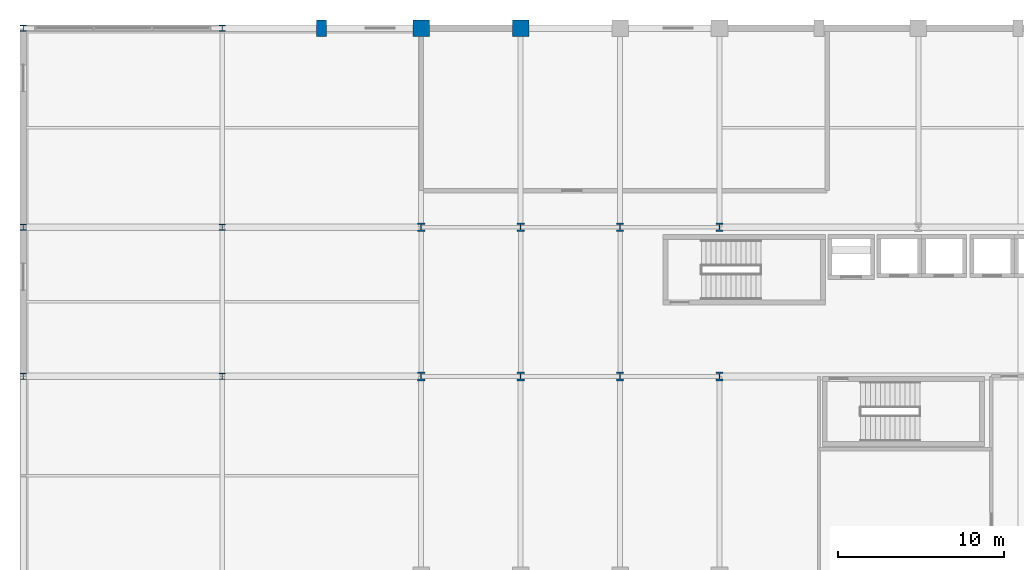
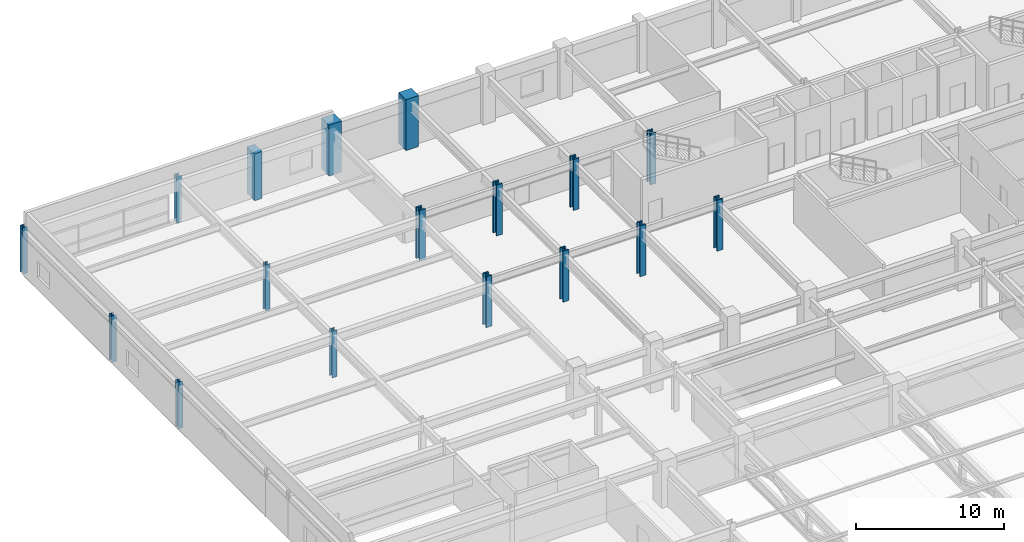
# One storey, part 9 of 108: 17 columns.
"""IFC4 building model written with IfcOpenShell, lengths in metres."""

from ifc_helpers import new_model, si_unit, direction, frame, origin, origin_2d, place, context, subcontext, project, spatial, rectangle, i_section, extrude, material, material_profile, profile_set, type_object, element, save


model = new_model("IFC4")

# Units and contexts
model_context = context("Model", 3, precision=1e-05, world=origin(), true_north=direction((0.0, 1.0)))
body_context = subcontext(model_context, "Body", "Model", "MODEL_VIEW")
ifc_project = project(units=[si_unit("LENGTHUNIT", "METRE"), si_unit("AREAUNIT", "SQUARE_METRE"), si_unit("VOLUMEUNIT", "CUBIC_METRE"), si_unit("PLANEANGLEUNIT", "RADIAN"), si_unit("MASSUNIT", "GRAM", prefix="KILO")], contexts=[model_context])

# Site, building, storey
site_placement = place(None, origin())
site = spatial("IfcSite", under=ifc_project, at=site_placement, CompositionType="ELEMENT")
building_placement = place(site_placement, origin())
building = spatial("IfcBuilding", under=site, at=building_placement, Name="Kaldorvane Square Convention Centre", CompositionType="ELEMENT")
storey_placement = place(building_placement, frame((0.0, 0.0, 23.399993896484375)))
storey = spatial("IfcBuildingStorey", under=building, at=storey_placement, Name="L04", CompositionType="ELEMENT", Elevation=23.399993896484375)

# Columns
ifc_material_1 = material(Name="Concrete f'c = 55 MPa (Normalweight)", Category="concrete")
ifc_material_profile_1 = material_profile(ifc_material_1, rectangle(XDim=1.0, YDim=1.0, at=origin_2d()), Name="RC1000X1000")
ifc_profile_set_1 = profile_set([ifc_material_profile_1], Name="Concrete f'c = 55 MPa (Normalweight)")
column_type_1 = type_object("IfcColumnType", Name="COL-RC-1000", PredefinedType="COLUMN", material=ifc_profile_set_1)
for number, where, z_axis, x_axis, name in (
    (1, (24.0, 117.0, 0.0), (0.0, 0.0, 1.0), (1.0, 0.0, 0.0), "Column CC-02 (L04)"),
    (2, (30.0, 117.0, 0.0), (0.0, 0.0, 1.0), (1.0, 0.0, 0.0), "Column CC-02 (L04)"),
):
    element("IfcColumn", number, at=place(storey_placement, frame(where, z_axis=z_axis, x_axis=x_axis)), inside=storey, type_object=column_type_1, Name=name, PredefinedType="COLUMN", context=body_context, shape_type="SweptSolid", body=[
        extrude(rectangle(XDim=1.0, YDim=1.0, at=origin_2d()), origin(), (0.0, 0.0, 1.0), 4.20001220703125),
    ])
ifc_material_2 = material(Name="Steel ASTM A992 Gr. 50", Category="steel")
ifc_material_profile_2 = material_profile(ifc_material_2, i_section(OverallWidth=0.4420013427734375, OverallDepth=0.531402587890625, WebThickness=0.0657958984375, FlangeThickness=0.1056976318359375, FilletRadius=0.0305023193359375, at=origin_2d()), Name="W14X605")
ifc_profile_set_2 = profile_set([ifc_material_profile_2], Name="Steel ASTM A992 Gr. 50")
column_type_2 = type_object("IfcColumnType", Name="COL-STL-605", PredefinedType="COLUMN", material=ifc_profile_set_2)
for number, where, z_axis, x_axis, name in (
    (3, (24.0, 96.0, 0.0), (0.0, 0.0, 1.0), (1.0, 0.0, 0.0), "Column SC-02 (L04)"),
    (4, (24.0, 105.0, 0.0), (0.0, 0.0, 1.0), (1.0, 0.0, 0.0), "Column SC-02 (L04)"),
    (5, (30.0, 96.0, 0.0), (0.0, 0.0, 1.0), (1.0, 0.0, 0.0), "Column SC-02 (L04)"),
    (6, (30.0, 105.0, 0.0), (0.0, 0.0, 1.0), (1.0, 0.0, 0.0), "Column SC-02 (L04)"),
    (7, (36.0, 96.0, 0.0), (0.0, 0.0, 1.0), (1.0, 0.0, 0.0), "Column SC-02 (L04)"),
    (8, (36.0, 105.0, 0.0), (0.0, 0.0, 1.0), (1.0, 0.0, 0.0), "Column SC-02 (L04)"),
    (9, (42.0, 96.0, 0.0), (0.0, 0.0, 1.0), (1.0, 0.0, 0.0), "Column SC-02 (L04)"),
    (10, (42.0, 105.0, 0.0), (0.0, 0.0, 1.0), (1.0, 0.0, 0.0), "Column SC-02 (L04)"),
):
    element("IfcColumn", number, at=place(storey_placement, frame(where, z_axis=z_axis, x_axis=x_axis)), inside=storey, type_object=column_type_2, Name=name, PredefinedType="COLUMN", context=body_context, shape_type="SweptSolid", body=[
        extrude(i_section(OverallWidth=0.4420013427734375, OverallDepth=0.531402587890625, WebThickness=0.0657958984375, FlangeThickness=0.1056976318359375, FilletRadius=0.0305023193359375, at=origin_2d()), origin(), (0.0, 0.0, 1.0), 4.20001220703125),
    ])
ifc_material_profile_3 = material_profile(ifc_material_2, i_section(OverallWidth=0.3701019287109375, OverallDepth=0.360198974609375, WebThickness=0.012298583984375, FlangeThickness=0.019805908203125, FilletRadius=0.0305023193359375, at=origin_2d()), Name="W14X99")
ifc_profile_set_3 = profile_set([ifc_material_profile_3], Name="Steel ASTM A992 Gr. 50")
column_type_3 = type_object("IfcColumnType", Name="COL-STL-99", PredefinedType="COLUMN", material=ifc_profile_set_3)
for number, where, z_axis, x_axis, name in (
    (11, (0.0, 96.0, 0.0), (0.0, 0.0, 1.0), (1.0, 0.0, 0.0), "Column SC-12 (L04)"),
    (12, (0.0, 105.0, 0.0), (0.0, 0.0, 1.0), (1.0, 0.0, 0.0), "Column SC-12 (L04)"),
    (13, (0.0, 117.0, 0.0), (0.0, 0.0, 1.0), (1.0, 0.0, 0.0), "Column SC-12 (L04)"),
    (14, (12.0, 96.0, 0.0), (0.0, 0.0, 1.0), (1.0, 0.0, 0.0), "Column SC-12 (L04)"),
    (15, (12.0, 105.0, 0.0), (0.0, 0.0, 1.0), (1.0, 0.0, 0.0), "Column SC-12 (L04)"),
    (16, (12.0, 117.0, 0.0), (0.0, 0.0, 1.0), (1.0, 0.0, 0.0), "Column SC-12 (L04)"),
):
    element("IfcColumn", number, at=place(storey_placement, frame(where, z_axis=z_axis, x_axis=x_axis)), inside=storey, type_object=column_type_3, Name=name, PredefinedType="COLUMN", context=body_context, shape_type="SweptSolid", body=[
        extrude(i_section(OverallWidth=0.3701019287109375, OverallDepth=0.360198974609375, WebThickness=0.012298583984375, FlangeThickness=0.019805908203125, FilletRadius=0.0305023193359375, at=origin_2d()), origin(), (0.0, 0.0, 1.0), 3.850006103515625),
    ])
ifc_material_profile_4 = material_profile(ifc_material_1, rectangle(XDim=0.600006103515625, YDim=1.0, at=origin_2d()), Name="PIL1000X600")
ifc_profile_set_4 = profile_set([ifc_material_profile_4], Name="Concrete f'c = 55 MPa (Normalweight)")
column_type_4 = type_object("IfcColumnType", Name="PIL-BRUT-1000", PredefinedType="PILASTER", material=ifc_profile_set_4)
column_placement = place(storey_placement, frame((18.0, 117.0, 0.0), z_axis=(0.0, 0.0, 1.0), x_axis=(1.0, 0.0, 0.0)))
element("IfcColumn", 17, at=column_placement, inside=storey, type_object=column_type_4, Name="Brutalist Colonnade Pilaster (L04)", PredefinedType="PILASTER", context=body_context, shape_type="SweptSolid", body=[
    extrude(rectangle(XDim=0.600006103515625, YDim=1.0, at=origin_2d()), origin(), (0.0, 0.0, 1.0), 3.850006103515625),
])

save(model, "model.ifc")
